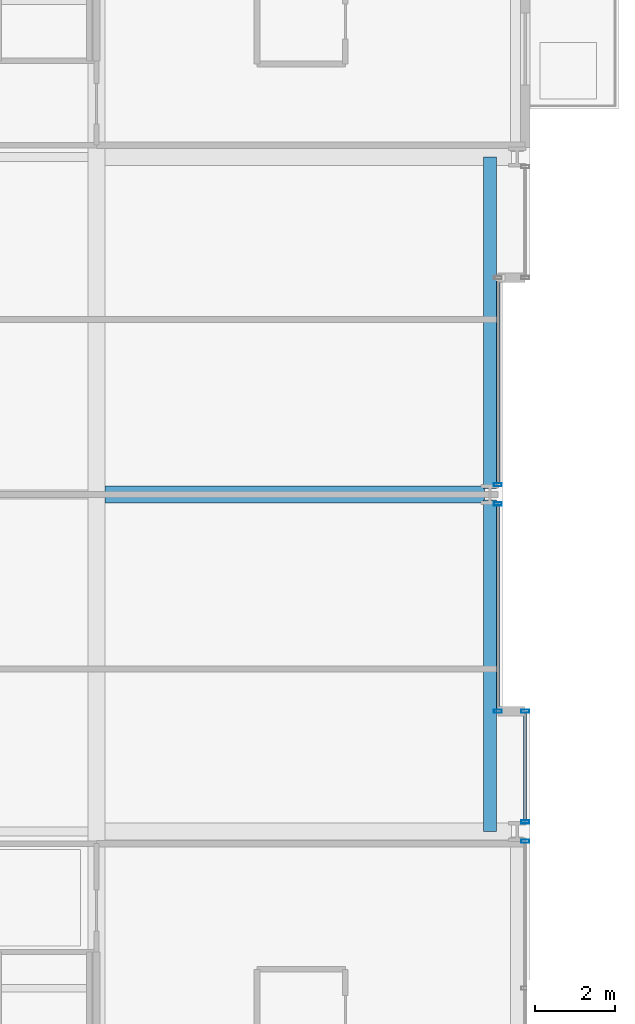
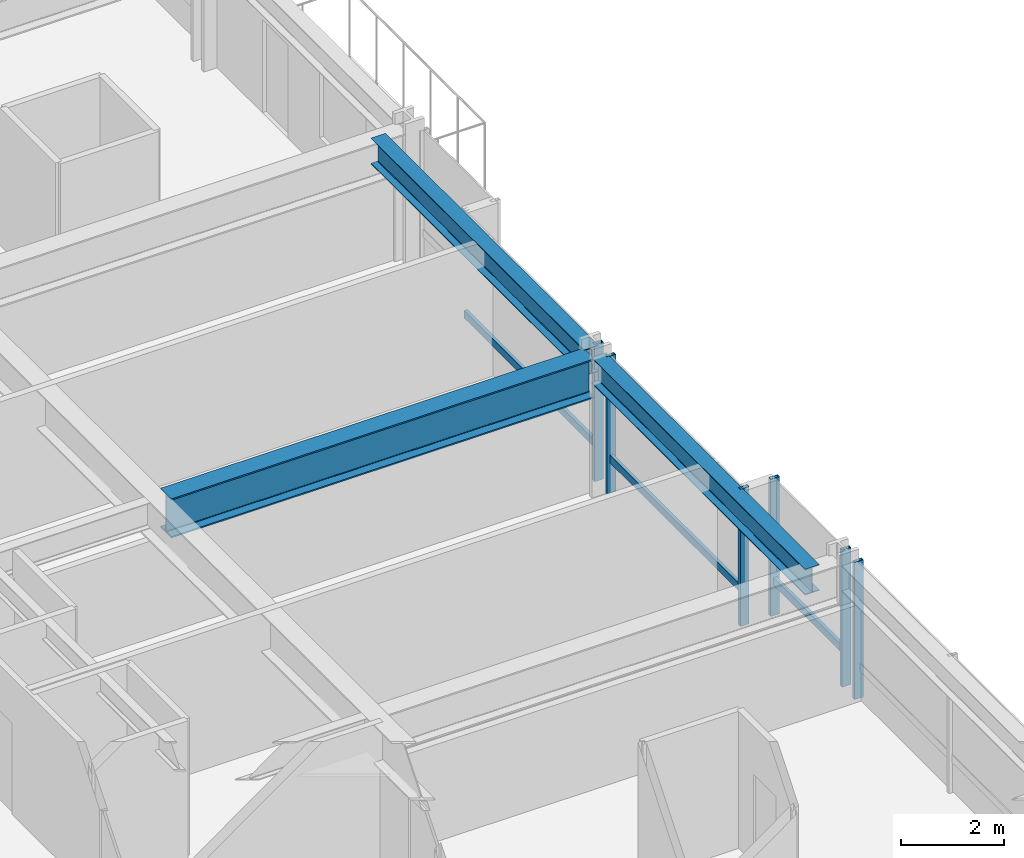
# One storey, part 16 of 37: 9 members, 3 beams, 4 elements without a shape of their own.
"""IFC4 building model written with IfcOpenShell, lengths in metres."""

from ifc_helpers import new_model, si_unit, direction, frame, origin, origin_2d, place, context, subcontext, project, spatial, hollow_rectangle, i_section, extrude, material, layer, layer_set, material_profile, profile_set, type_object, element, aggregate, save


model = new_model("IFC4")

# Units and contexts
model_context = context("Model", 3, precision=1e-05, world=origin(), true_north=direction((0.0, 1.0)))
body_context = subcontext(model_context, "Body", "Model", "MODEL_VIEW")
ifc_project = project(units=[si_unit("LENGTHUNIT", "METRE"), si_unit("AREAUNIT", "SQUARE_METRE"), si_unit("VOLUMEUNIT", "CUBIC_METRE"), si_unit("PLANEANGLEUNIT", "RADIAN"), si_unit("MASSUNIT", "GRAM", prefix="KILO")], contexts=[model_context])

# Site, building, storey
site_placement = place(None, origin())
site = spatial("IfcSite", under=ifc_project, at=site_placement, CompositionType="ELEMENT")
building_placement = place(site_placement, origin())
building = spatial("IfcBuilding", under=site, at=building_placement, Name="Drelvath Grand Hotel", CompositionType="ELEMENT")
storey_placement = place(building_placement, frame((0.0, 0.0, 43.699951171875)))
storey = spatial("IfcBuildingStorey", under=building, at=storey_placement, Name="L09", CompositionType="ELEMENT", Elevation=43.699951171875)

# Curtain wall, member
ifc_material_1 = material(Name="Warm Bronze Anodised Aluminium Frame", Category="aluminium")
ifc_layer = layer(ifc_material_1, 0.199951171875)
ifc_layer_set = layer_set([ifc_layer], Name="Warm Bronze Anodised Aluminium Frame")
curtain_wall_type = type_object("IfcCurtainWallType", Name="Stick Curtain Wall CW-02 Warm Bronze Low-Rise", PredefinedType="NOTDEFINED", material=ifc_layer_set)
curtain_wall_1_placement = place(storey_placement, origin())
curtain_wall_1 = element("IfcCurtainWall", 1, at=curtain_wall_1_placement, inside=storey, type_object=curtain_wall_type, Name="L09 CW-02 Curtain Wall CW02-L09-EM1", PredefinedType="NOTDEFINED")
ifc_material_profile_1 = material_profile(ifc_material_1, hollow_rectangle(XDim=0.074951171875, YDim=0.179931640625, WallThickness=0.0048828125, at=origin_2d()), Name="HSS180X75X5")
ifc_profile_set_1 = profile_set([ifc_material_profile_1], Name="Warm Bronze Anodised Aluminium Frame")
member_type_1 = type_object("IfcMemberType", Name="Curtain Wall Horizontal Transom CW-02 HSS180X75X5", PredefinedType="USERDEFINED", material=ifc_profile_set_1)
member_1_placement = place(storey_placement, frame((26.199951171875, 26.718994140625, 0.81005859375), z_axis=(0.0, -1.0, 0.0), x_axis=(1.0, 0.0, 0.0)))
member_1 = element("IfcMember", 2, at=member_1_placement, type_object=member_type_1, Name="CW02-L09-EM1 Sill Transom", ObjectType="TRANSOM", PredefinedType="USERDEFINED", context=body_context, shape_type="SweptSolid", body=[
    extrude(hollow_rectangle(XDim=0.074951171875, YDim=0.179931640625, WallThickness=0.0048828125, at=origin_2d()), origin(), (0.0, 0.0, 1.0), 5.0791015625),
])

curtain_wall_2_placement = place(storey_placement, origin())
curtain_wall_2 = element("IfcCurtainWall", 3, at=curtain_wall_2_placement, inside=storey, type_object=curtain_wall_type, Name="L09 CW-02 Curtain Wall CW02-L09-EM2", PredefinedType="NOTDEFINED")
member_2_placement = place(storey_placement, frame((26.199951171875, 32.360107421875, 0.81005859375), z_axis=(0.0, -1.0, 0.0), x_axis=(1.0, 0.0, 0.0)))
member_2 = element("IfcMember", 4, at=member_2_placement, type_object=member_type_1, Name="CW02-L09-EM2 Sill Transom", ObjectType="TRANSOM", PredefinedType="USERDEFINED", context=body_context, shape_type="SweptSolid", body=[
    extrude(hollow_rectangle(XDim=0.074951171875, YDim=0.179931640625, WallThickness=0.0048828125, at=origin_2d()), origin(), (0.0, 0.0, 1.0), 5.0791015625),
])

curtain_wall_3_placement = place(storey_placement, origin())
curtain_wall_3 = element("IfcCurtainWall", 5, at=curtain_wall_3_placement, inside=storey, type_object=curtain_wall_type, Name="L09 CW-02 Curtain Wall CW02-L09-ES3", PredefinedType="NOTDEFINED")
member_3_placement = place(storey_placement, frame((26.8798828125, 21.56005859375, 0.81005859375), z_axis=(0.0, -1.0, 0.0), x_axis=(1.0, 0.0, 0.0)))
member_3 = element("IfcMember", 6, at=member_3_placement, type_object=member_type_1, Name="CW02-L09-ES3 Sill Transom", ObjectType="TRANSOM", PredefinedType="USERDEFINED", context=body_context, shape_type="SweptSolid", body=[
    extrude(hollow_rectangle(XDim=0.074951171875, YDim=0.179931640625, WallThickness=0.0048828125, at=origin_2d()), origin(), (0.0, 0.0, 1.0), 2.67919921875),
])

# Member
ifc_material_profile_2 = material_profile(ifc_material_1, hollow_rectangle(XDim=0.080078125, YDim=0.199951171875, WallThickness=0.0048828125, at=origin_2d()), Name="HSS200X80X5")
ifc_profile_set_2 = profile_set([ifc_material_profile_2], Name="Warm Bronze Anodised Aluminium Frame")
member_type_2 = type_object("IfcMemberType", Name="Curtain Wall Vertical Mullion CW-02 HSS200X80X5", PredefinedType="MULLION", material=ifc_profile_set_2)
member_4_placement = place(storey_placement, frame((26.199951171875, 26.759033203125, 0.0), z_axis=(0.0, 0.0, 1.0), x_axis=(0.0, 1.0, 0.0)))
member_4 = element("IfcMember", 7, at=member_4_placement, type_object=member_type_2, Name="CW02-L09-EM1 Mullion 1", PredefinedType="MULLION", context=body_context, shape_type="SweptSolid", body=[
    extrude(hollow_rectangle(XDim=0.080078125, YDim=0.199951171875, WallThickness=0.0048828125, at=origin_2d()), origin(), (0.0, 0.0, 1.0), 3.239990234375),
])

member_5_placement = place(storey_placement, frame((26.199951171875, 21.60009765625, 0.0), z_axis=(0.0, 0.0, 1.0), x_axis=(0.0, 1.0, 0.0)))
member_5 = element("IfcMember", 8, at=member_5_placement, type_object=member_type_2, Name="CW02-L09-EM1 Mullion 2", PredefinedType="MULLION", context=body_context, shape_type="SweptSolid", body=[
    extrude(hollow_rectangle(XDim=0.080078125, YDim=0.199951171875, WallThickness=0.0048828125, at=origin_2d()), origin(), (0.0, 0.0, 1.0), 3.239990234375),
])

aggregate(curtain_wall_1, [member_4, member_5, member_1])

member_6_placement = place(storey_placement, frame((26.199951171875, 27.240966796875, 0.0), z_axis=(0.0, 0.0, 1.0), x_axis=(0.0, 1.0, 0.0)))
member_6 = element("IfcMember", 9, at=member_6_placement, type_object=member_type_2, Name="CW02-L09-EM2 Mullion 2", PredefinedType="MULLION", context=body_context, shape_type="SweptSolid", body=[
    extrude(hollow_rectangle(XDim=0.080078125, YDim=0.199951171875, WallThickness=0.0048828125, at=origin_2d()), origin(), (0.0, 0.0, 1.0), 3.239990234375),
])

aggregate(curtain_wall_2, [member_6, member_2])

# Curtain wall, member
curtain_wall_4_placement = place(storey_placement, origin())
curtain_wall_4 = element("IfcCurtainWall", 10, at=curtain_wall_4_placement, inside=storey, type_object=curtain_wall_type, Name="L09 CW-02 Curtain Wall CW02-L09-ES2", PredefinedType="NOTDEFINED")
member_7_placement = place(storey_placement, frame((26.8798828125, 18.359130859375, 0.0), z_axis=(0.0, 0.0, 1.0), x_axis=(0.0, 1.0, 0.0)))
member_7 = element("IfcMember", 11, at=member_7_placement, type_object=member_type_2, Name="CW02-L09-ES2 Mullion 1", PredefinedType="MULLION", context=body_context, shape_type="SweptSolid", body=[
    extrude(hollow_rectangle(XDim=0.080078125, YDim=0.199951171875, WallThickness=0.0048828125, at=origin_2d()), origin(), (0.0, 0.0, 1.0), 3.239990234375),
])
aggregate(curtain_wall_4, [member_7])

# Member
member_8_placement = place(storey_placement, frame((26.8798828125, 21.60009765625, 0.0), z_axis=(0.0, 0.0, 1.0), x_axis=(0.0, 1.0, 0.0)))
member_8 = element("IfcMember", 12, at=member_8_placement, type_object=member_type_2, Name="CW02-L09-ES3 Mullion 1", PredefinedType="MULLION", context=body_context, shape_type="SweptSolid", body=[
    extrude(hollow_rectangle(XDim=0.080078125, YDim=0.199951171875, WallThickness=0.0048828125, at=origin_2d()), origin(), (0.0, 0.0, 1.0), 3.239990234375),
])

member_9_placement = place(storey_placement, frame((26.8798828125, 18.8408203125, 0.0), z_axis=(0.0, 0.0, 1.0), x_axis=(0.0, 1.0, 0.0)))
member_9 = element("IfcMember", 13, at=member_9_placement, type_object=member_type_2, Name="CW02-L09-ES3 Mullion 2", PredefinedType="MULLION", context=body_context, shape_type="SweptSolid", body=[
    extrude(hollow_rectangle(XDim=0.080078125, YDim=0.199951171875, WallThickness=0.0048828125, at=origin_2d()), origin(), (0.0, 0.0, 1.0), 3.239990234375),
])

aggregate(curtain_wall_3, [member_8, member_9, member_3])

# Beams
ifc_material_2 = material(Name="Steel ASTM A992 Gr 50", Category="steel")
ifc_material_profile_3 = material_profile(ifc_material_2, i_section(OverallWidth=0.323974609375, OverallDepth=0.611083984375, WebThickness=0.0126953125, FlangeThickness=0.01904296875, FilletRadius=0.02197265625, at=origin_2d()), Name="W24X104")
ifc_profile_set_3 = profile_set([ifc_material_profile_3], Name="Steel ASTM A992 Gr 50")
beam_type_1 = type_object("IfcBeamType", Name="Perimeter Spandrel Beam W24X104", PredefinedType="SPANDREL", material=ifc_profile_set_3)
for number, where, z_axis, x_axis, name in (
    (14, (26.0, 18.60009765625, 2.9345703125), (0.0, 1.0, 0.0), (-1.0, 0.0, 0.0), "L09 Spandrel East Mid S"),
    (15, (26.0, 27.139892578125, 2.9345703125), (0.0, 1.0, 0.0), (-1.0, 0.0, 0.0), "L09 Spandrel East Mid N"),
):
    element("IfcBeam", number, at=place(storey_placement, frame(where, z_axis=z_axis, x_axis=x_axis)), inside=storey, type_object=beam_type_1, Name=name, PredefinedType="SPANDREL", context=body_context, shape_type="SweptSolid", body=[
        extrude(i_section(OverallWidth=0.323974609375, OverallDepth=0.611083984375, WebThickness=0.0126953125, FlangeThickness=0.01904296875, FilletRadius=0.02197265625, at=origin_2d()), origin(), (0.0, 0.0, 1.0), 8.260009765625),
    ])
ifc_material_profile_4 = material_profile(ifc_material_2, i_section(OverallWidth=0.418212890625, OverallDepth=0.926513671875, WebThickness=0.019287109375, FlangeThickness=0.031982421875, FilletRadius=0.028076171875, at=origin_2d()), Name="W36X231")
ifc_profile_set_4 = profile_set([ifc_material_profile_4], Name="Steel ASTM A992 Gr 50")
beam_type_2 = type_object("IfcBeamType", Name="Primary Floor Girder W36X231", PredefinedType="BEAM", material=ifc_profile_set_4)
beam_placement = place(storey_placement, frame((16.4091796875, 27.0, 2.77685546875), z_axis=(1.0, 0.0, 0.0), x_axis=(0.0, 1.0, 0.0)))
element("IfcBeam", 16, at=beam_placement, inside=storey, type_object=beam_type_2, Name="L09 East Wing Girder E", PredefinedType="BEAM", context=body_context, shape_type="SweptSolid", body=[
    extrude(i_section(OverallWidth=0.418212890625, OverallDepth=0.926513671875, WebThickness=0.019287109375, FlangeThickness=0.031982421875, FilletRadius=0.028076171875, at=origin_2d()), origin(), (0.0, 0.0, 1.0), 9.450927734375),
])

save(model, "model.ifc")
